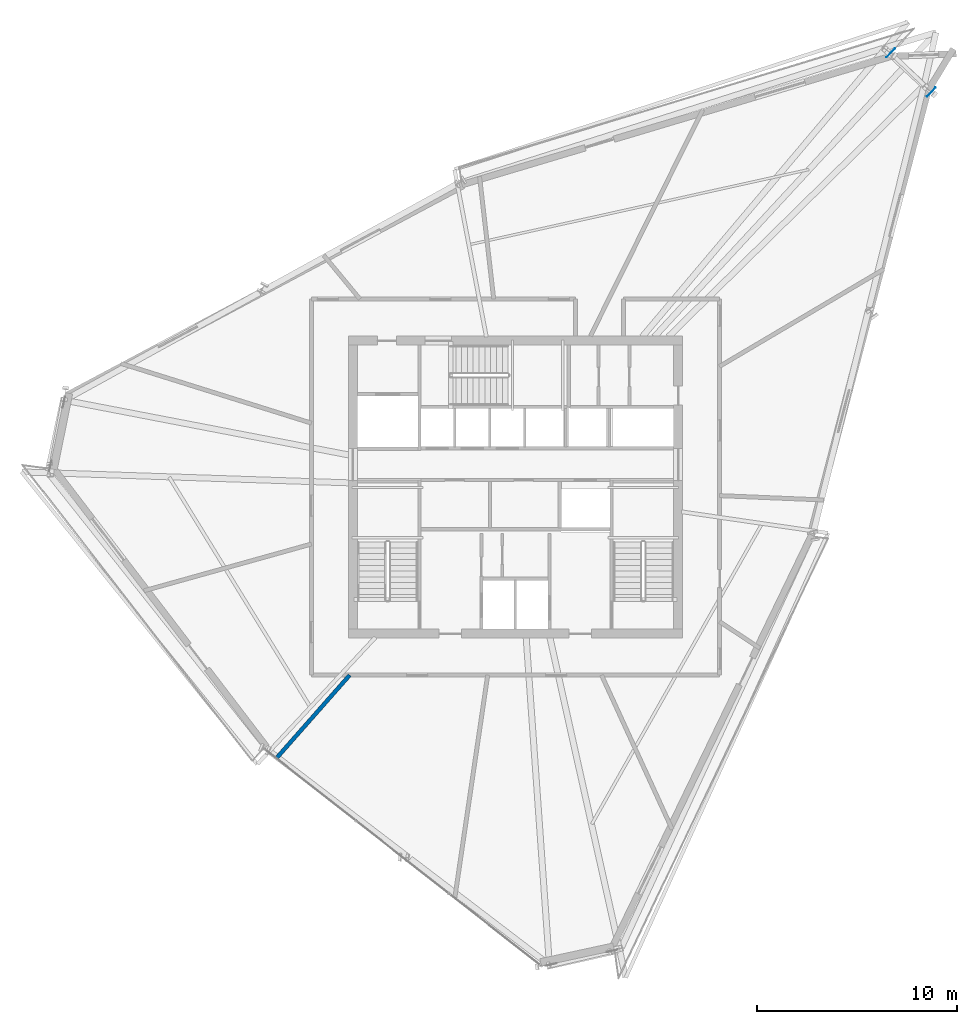
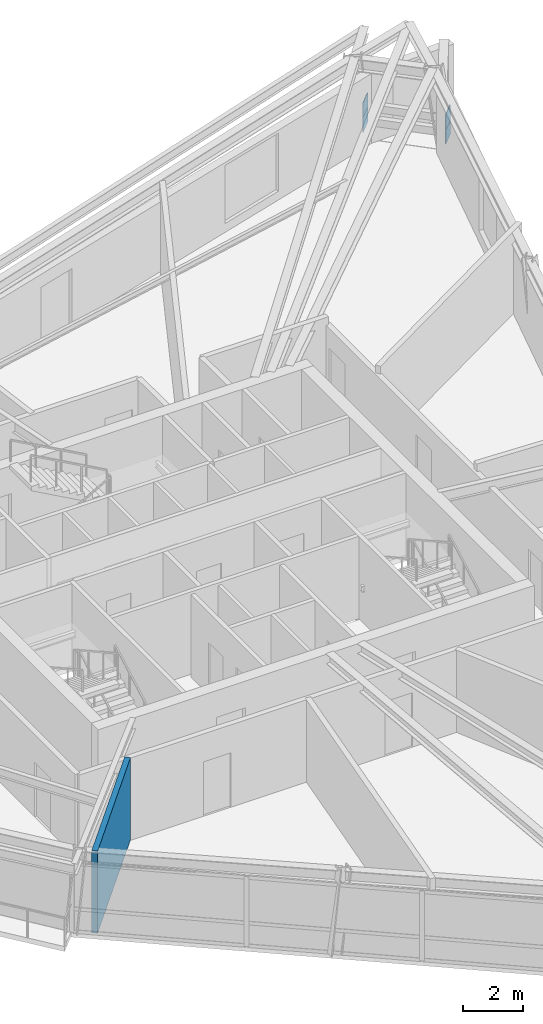
# One storey, part 7 of 14: 4 plates, 1 wall.
"""IFC4 building model written with IfcOpenShell, lengths in metres."""

from ifc_helpers import new_model, si_unit, direction, frame, frame_2d, origin, origin_2d, place, context, subcontext, project, spatial, rectangle, extrude, source, transform, mapped, material, layer, layer_set, type_object, element, save


model = new_model("IFC4")

# Units and contexts
model_context = context("Model", 3, precision=1e-05, world=origin(), true_north=direction((0.0, 1.0)))
body_context = subcontext(model_context, "Body", "Model", "MODEL_VIEW")
ifc_project = project(units=[si_unit("LENGTHUNIT", "METRE"), si_unit("AREAUNIT", "SQUARE_METRE"), si_unit("VOLUMEUNIT", "CUBIC_METRE"), si_unit("PLANEANGLEUNIT", "RADIAN"), si_unit("MASSUNIT", "GRAM", prefix="KILO")], contexts=[model_context])

# Site, building, storey
site_placement = place(None, origin())
site = spatial("IfcSite", under=ifc_project, at=site_placement, CompositionType="ELEMENT")
building_placement = place(site_placement, origin())
building = spatial("IfcBuilding", under=site, at=building_placement, Name="Olszyna Solenne Hotel", CompositionType="ELEMENT")
storey_placement = place(building_placement, frame((0.0, 0.0, 223.800048828125)))
storey = spatial("IfcBuildingStorey", under=building, at=storey_placement, Name="L59", CompositionType="ELEMENT", Elevation=223.800048828125)

# Plates
ifc_material_1 = material(Name="Steel S460M", Category="steel")
plate_type = type_object("IfcPlateType", Name="GP-CAP2", PredefinedType="USERDEFINED", material=ifc_material_1)
shared_shape = source(origin(), body_context, "Body", "SweptSolid", [
    extrude(rectangle(XDim=0.030029296875, YDim=0.6201171875, at=origin_2d()), origin(), (0.0, 0.0, 1.0), 0.6201171875),
])
for number, where, z_axis, x_axis, name in (
    (1, (58.788818359375, 46.348388671875, 1.039794921875), (0.0, 0.0, 1.0), (-0.719945730144, 0.694030363635, 0.0), "Hollow section end-cap plate GP-CAP2 CP-PR-M-L59-PR1-1"),
    (2, (56.75634765625, 48.3076171875, 1.039794921875), (0.0, 0.0, 1.0), (-0.719945730144, 0.694030363635, 0.0), "Hollow section end-cap plate GP-CAP2 CP-PR-M-L59-PR1-2"),
    (3, (58.788818359375, 46.348388671875, 0.469970703125), (0.0, 0.0, 1.0), (-0.719945730144, 0.694030363635, 0.0), "Hollow section end-cap plate GP-CAP2 CP-PR-M-L59-PR2-1"),
    (4, (56.75634765625, 48.3076171875, 0.469970703125), (0.0, 0.0, 1.0), (-0.719945730144, 0.694030363635, 0.0), "Hollow section end-cap plate GP-CAP2 CP-PR-M-L59-PR2-2"),
):
    element("IfcPlate", number, at=place(storey_placement, frame(where, z_axis=z_axis, x_axis=x_axis)), inside=storey, type_object=plate_type, Name=name, ObjectType="GUSSET_PLATE", PredefinedType="USERDEFINED", context=body_context, shape_type="MappedRepresentation", body=[
        mapped(shared_shape, transform((0.0, 0.0, 0.0), x_axis=(1.0, 0.0, 0.0), y_axis=(0.0, 1.0, 0.0), z_axis=(0.0, 0.0, 1.0), scale=1.0)),
    ])

# Wall
ifc_material_2 = material(Name="Acoustic gypsum partition", Category="gypsum")
ifc_layer = layer(ifc_material_2, 0.199951171875, Name="Acoustic gypsum partition")
ifc_layer_set = layer_set([ifc_layer], Name="Acoustic gypsum partition")
wall_type = type_object("IfcWallType", Name="WL-PT200", PredefinedType="PARTITIONING", material=ifc_layer_set)
wall_placement = place(storey_placement, frame((29.712890625, 17.199951171875, 0.0), z_axis=(0.0, 0.0, 1.0), x_axis=(-0.661328876808, -0.750096071647, 0.0)))
element("IfcWall", 5, at=wall_placement, inside=storey, type_object=wall_type, Name="Interior acoustic partition WL-PT200 PW-L59-3286", PredefinedType="PARTITIONING", context=body_context, shape_type="SweptSolid", body=[
    extrude(rectangle(XDim=5.51708984375, YDim=0.199951171875, at=frame_2d((2.758544921875, 0.0))), origin(), (0.0, 0.0, 1.0), 3.329833984375),
])

save(model, "model.ifc")
